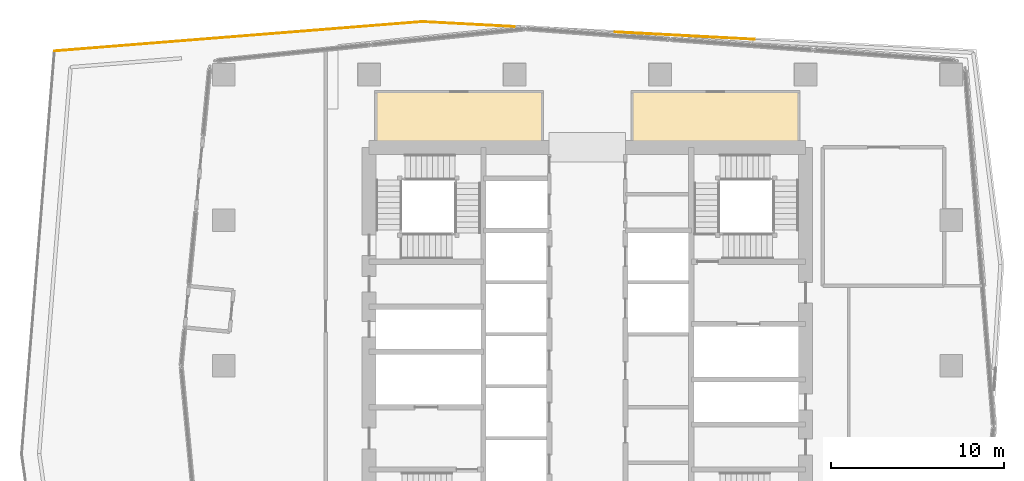
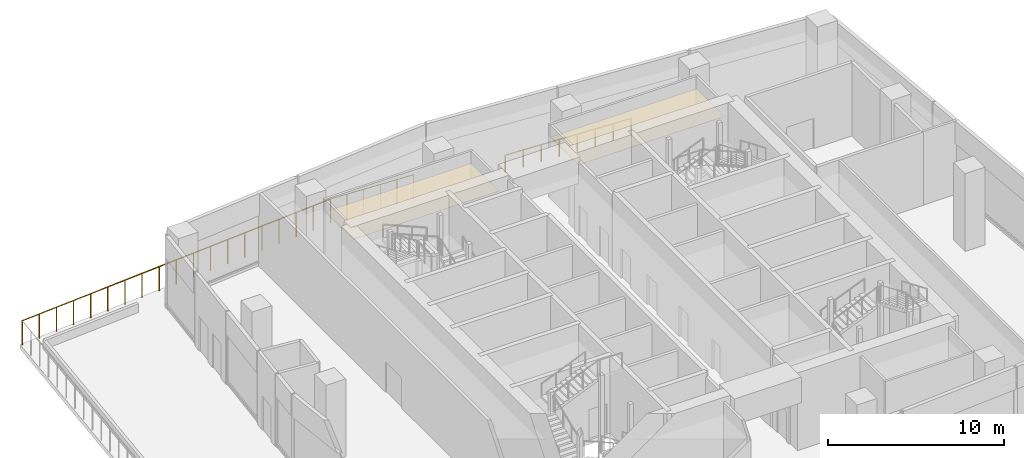
# One storey, part 22 of 22: 3 railings, 2 coverings.
"""IFC4 building model written with IfcOpenShell, lengths in metres."""

from ifc_helpers import new_model, si_unit, direction, frame, origin, origin_2d, place, context, subcontext, project, spatial, polyline, circle, outline, extrude, material, layer, layer_set, type_object, element, save


model = new_model("IFC4")

# Units and contexts
model_context = context("Model", 3, precision=1e-05, world=origin(), true_north=direction((0.0, 1.0)))
body_context = subcontext(model_context, "Body", "Model", "MODEL_VIEW")
ifc_project = project(units=[si_unit("LENGTHUNIT", "METRE"), si_unit("AREAUNIT", "SQUARE_METRE"), si_unit("VOLUMEUNIT", "CUBIC_METRE"), si_unit("PLANEANGLEUNIT", "RADIAN"), si_unit("MASSUNIT", "GRAM", prefix="KILO")], contexts=[model_context])

# Site, building, storey
site_placement = place(None, origin())
site = spatial("IfcSite", under=ifc_project, at=site_placement, CompositionType="ELEMENT")
building_placement = place(site_placement, origin())
building = spatial("IfcBuilding", under=site, at=building_placement, Name="Rekha Terrace Tower", CompositionType="ELEMENT")
storey_placement = place(building_placement, frame((0.0, 0.0, 291.35009765625)))
storey = spatial("IfcBuildingStorey", under=building, at=storey_placement, Name="L74", CompositionType="ELEMENT", Elevation=291.35009765625)

# Coverings
ifc_material_1 = material(Name="Fibre cement board", Category="finish")
ifc_layer = layer(ifc_material_1, 0.014892578125)
ifc_layer_set = layer_set([ifc_layer], Name="Fibre cement board")
covering_type = type_object("IfcCoveringType", Name="CL2 moisture-resistant board ceiling", PredefinedType="CEILING", material=ifc_layer_set)
covering_1_placement = place(storey_placement, frame((0.0, 0.0, 4.184814453125)))
element("IfcCovering", 1, at=covering_1_placement, inside=storey, type_object=covering_type, Name="Ceiling L74-WCF", PredefinedType="CEILING", context=body_context, shape_type="SweptSolid", body=[
    extrude(outline(polyline([(50.0, 49.39990234375), (40.39990234375, 49.39990234375), (40.39990234375, 46.199951171875), (50.0, 46.199951171875), (50.0, 49.39990234375)])), origin(), (0.0, 0.0, 1.0), 0.01513671875),
])
covering_2_placement = place(storey_placement, frame((0.0, 0.0, 4.184814453125)))
element("IfcCovering", 2, at=covering_2_placement, inside=storey, type_object=covering_type, Name="Ceiling L74-WCF2", PredefinedType="CEILING", context=body_context, shape_type="SweptSolid", body=[
    extrude(outline(polyline([(35.199951171875, 49.39990234375), (25.60009765625, 49.39990234375), (25.60009765625, 46.199951171875), (35.199951171875, 46.199951171875), (35.199951171875, 49.39990234375)])), origin(), (0.0, 0.0, 1.0), 0.01513671875),
])

# Railings
ifc_material_2 = material(Name="Steel guard with vertical balusters", Category="steel")
railing_type_1 = type_object("IfcRailingType", Name="GR2 refuge area guard 1200", PredefinedType="GUARDRAIL", material=ifc_material_2)
railing_1_placement = place(storey_placement, frame((47.45556640625, 52.429931640625, 0.0)))
element("IfcRailing", 3, at=railing_1_placement, inside=storey, type_object=railing_type_1, Name="Ledge corner guard", PredefinedType="GUARDRAIL", context=body_context, shape_type="SweptSolid", body=[
    extrude(circle(Radius=0.02392578125, at=origin_2d()), frame((0.0, 0.0, 1.17578125), z_axis=(-0.998589969402, 0.053085525424, 0.0), x_axis=(-0.053085525424, -0.998589969402, 0.0)), (0.0, 0.0, 1.0), 8.052978515625),
    extrude(circle(Radius=0.02099609375, at=origin_2d()), origin(), (0.0, 0.0, 1.0), 1.15185546875),
    extrude(circle(Radius=0.02099609375, at=origin_2d()), frame((-1.148681640625, 0.06103515625, 0.0)), (0.0, 0.0, 1.0), 1.15185546875),
    extrude(circle(Radius=0.02099609375, at=origin_2d()), frame((-2.297607421875, 0.1220703125, 0.0)), (0.0, 0.0, 1.0), 1.15185546875),
    extrude(circle(Radius=0.02099609375, at=origin_2d()), frame((-3.4462890625, 0.18310546875, 0.0)), (0.0, 0.0, 1.0), 1.15185546875),
    extrude(circle(Radius=0.02099609375, at=origin_2d()), frame((-4.59521484375, 0.244384765625, 0.0)), (0.0, 0.0, 1.0), 1.15185546875),
    extrude(circle(Radius=0.02099609375, at=origin_2d()), frame((-5.743896484375, 0.305419921875, 0.0)), (0.0, 0.0, 1.0), 1.15185546875),
    extrude(circle(Radius=0.02099609375, at=origin_2d()), frame((-6.892822265625, 0.366455078125, 0.0)), (0.0, 0.0, 1.0), 1.15185546875),
    extrude(circle(Radius=0.02099609375, at=origin_2d()), frame((-8.04150390625, 0.427490234375, 0.0)), (0.0, 0.0, 1.0), 1.15185546875),
])
ifc_material_3 = material(Name="Stainless steel posts and laminated glass infill", Category="steel")
railing_type_2 = type_object("IfcRailingType", Name="GR4 terrace glass guard 1700", PredefinedType="GUARDRAIL", material=ifc_material_3)
railing_2_placement = place(storey_placement, frame((33.583740234375, 53.16748046875, 0.0)))
element("IfcRailing", 4, at=railing_2_placement, inside=storey, type_object=railing_type_2, Name="Terrace guard", PredefinedType="GUARDRAIL", context=body_context, shape_type="SweptSolid", body=[
    extrude(circle(Radius=0.02392578125, at=origin_2d()), frame((0.0, 0.0, 1.67578125), z_axis=(-0.998591847124, 0.053050191878, 0.0), x_axis=(-0.053050191878, -0.998591847124, 0.0)), (0.0, 0.0, 1.0), 5.320068359375),
    extrude(circle(Radius=0.02099609375, at=origin_2d()), origin(), (0.0, 0.0, 1.0), 1.65185546875),
    extrude(circle(Radius=0.02099609375, at=origin_2d()), frame((-1.0625, 0.056396484375, 0.0)), (0.0, 0.0, 1.0), 1.65185546875),
    extrude(circle(Radius=0.02099609375, at=origin_2d()), frame((-2.125, 0.11279296875, 0.0)), (0.0, 0.0, 1.0), 1.65185546875),
    extrude(circle(Radius=0.02099609375, at=origin_2d()), frame((-3.1875, 0.16943359375, 0.0)), (0.0, 0.0, 1.0), 1.65185546875),
    extrude(circle(Radius=0.02099609375, at=origin_2d()), frame((-4.25, 0.225830078125, 0.0)), (0.0, 0.0, 1.0), 1.65185546875),
    extrude(circle(Radius=0.02099609375, at=origin_2d()), frame((-5.3125, 0.2822265625, 0.0)), (0.0, 0.0, 1.0), 1.65185546875),
])
railing_3_placement = place(storey_placement, frame((28.271240234375, 53.44970703125, 0.0)))
element("IfcRailing", 5, at=railing_3_placement, inside=storey, type_object=railing_type_2, Name="Terrace guard", PredefinedType="GUARDRAIL", context=body_context, shape_type="SweptSolid", body=[
    extrude(circle(Radius=0.02392578125, at=origin_2d()), frame((0.0, 0.0, 1.67578125), z_axis=(-0.996836349442, -0.079481396756, 0.0), x_axis=(0.079481396756, -0.996836349442, 0.0)), (0.0, 0.0, 1.0), 21.2958984375),
    extrude(circle(Radius=0.02099609375, at=origin_2d()), origin(), (0.0, 0.0, 1.0), 1.65185546875),
    extrude(circle(Radius=0.02099609375, at=origin_2d()), frame((-1.179443359375, -0.093994140625, 0.0)), (0.0, 0.0, 1.0), 1.65185546875),
    extrude(circle(Radius=0.02099609375, at=origin_2d()), frame((-2.358642578125, -0.18798828125, 0.0)), (0.0, 0.0, 1.0), 1.65185546875),
    extrude(circle(Radius=0.02099609375, at=origin_2d()), frame((-3.5380859375, -0.2822265625, 0.0)), (0.0, 0.0, 1.0), 1.65185546875),
    extrude(circle(Radius=0.02099609375, at=origin_2d()), frame((-4.717529296875, -0.376220703125, 0.0)), (0.0, 0.0, 1.0), 1.65185546875),
    extrude(circle(Radius=0.02099609375, at=origin_2d()), frame((-5.896728515625, -0.47021484375, 0.0)), (0.0, 0.0, 1.0), 1.65185546875),
    extrude(circle(Radius=0.02099609375, at=origin_2d()), frame((-7.076171875, -0.564208984375, 0.0)), (0.0, 0.0, 1.0), 1.65185546875),
    extrude(circle(Radius=0.02099609375, at=origin_2d()), frame((-8.255615234375, -0.658203125, 0.0)), (0.0, 0.0, 1.0), 1.65185546875),
    extrude(circle(Radius=0.02099609375, at=origin_2d()), frame((-9.434814453125, -0.752197265625, 0.0)), (0.0, 0.0, 1.0), 1.65185546875),
    extrude(circle(Radius=0.02099609375, at=origin_2d()), frame((-10.6142578125, -0.84619140625, 0.0)), (0.0, 0.0, 1.0), 1.65185546875),
    extrude(circle(Radius=0.02099609375, at=origin_2d()), frame((-11.793701171875, -0.9404296875, 0.0)), (0.0, 0.0, 1.0), 1.65185546875),
    extrude(circle(Radius=0.02099609375, at=origin_2d()), frame((-12.972900390625, -1.034423828125, 0.0)), (0.0, 0.0, 1.0), 1.65185546875),
    extrude(circle(Radius=0.02099609375, at=origin_2d()), frame((-14.15234375, -1.12841796875, 0.0)), (0.0, 0.0, 1.0), 1.65185546875),
    extrude(circle(Radius=0.02099609375, at=origin_2d()), frame((-15.331787109375, -1.222412109375, 0.0)), (0.0, 0.0, 1.0), 1.65185546875),
    extrude(circle(Radius=0.02099609375, at=origin_2d()), frame((-16.510986328125, -1.31640625, 0.0)), (0.0, 0.0, 1.0), 1.65185546875),
    extrude(circle(Radius=0.02099609375, at=origin_2d()), frame((-17.6904296875, -1.41064453125, 0.0)), (0.0, 0.0, 1.0), 1.65185546875),
    extrude(circle(Radius=0.02099609375, at=origin_2d()), frame((-18.869873046875, -1.504638671875, 0.0)), (0.0, 0.0, 1.0), 1.65185546875),
    extrude(circle(Radius=0.02099609375, at=origin_2d()), frame((-20.049072265625, -1.5986328125, 0.0)), (0.0, 0.0, 1.0), 1.65185546875),
    extrude(circle(Radius=0.02099609375, at=origin_2d()), frame((-21.228515625, -1.692626953125, 0.0)), (0.0, 0.0, 1.0), 1.65185546875),
])

save(model, "model.ifc")
